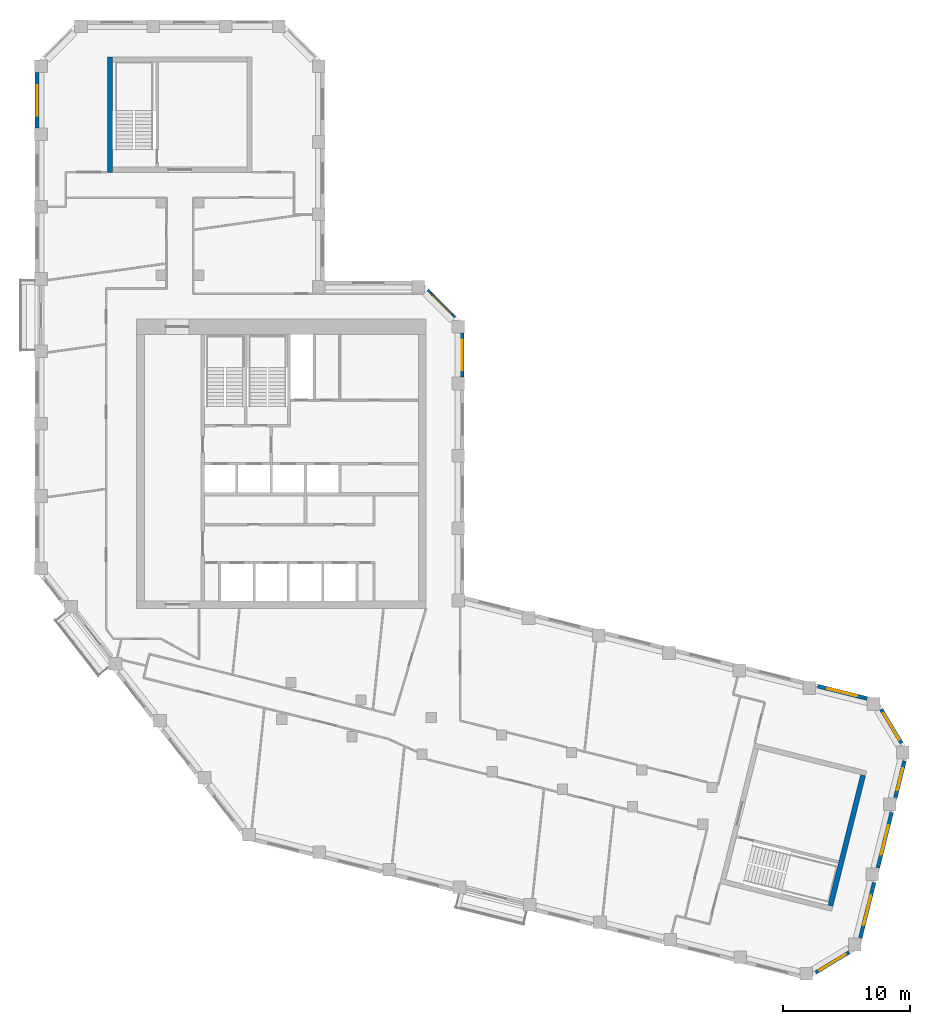
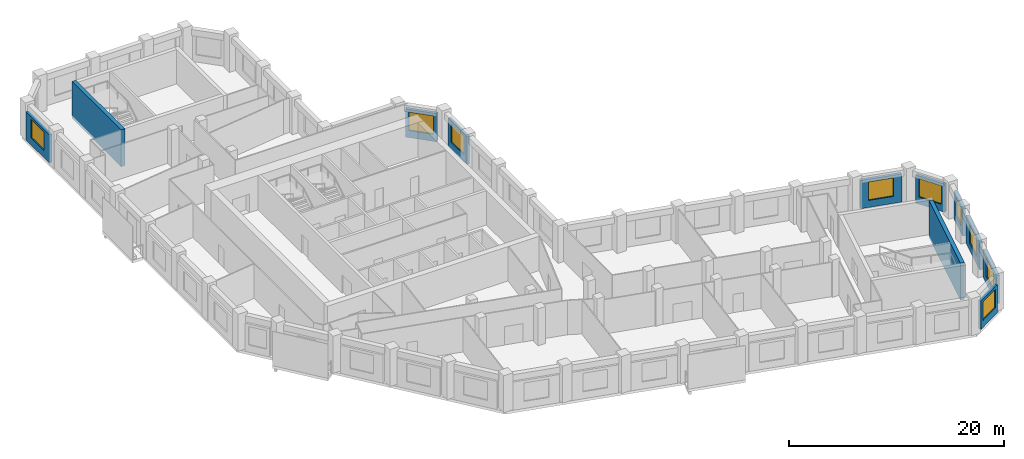
# One storey, part 7 of 9: 11 walls, 9 windows, 9 openings.
"""IFC4 building model written with IfcOpenShell, lengths in metres."""

from ifc_helpers import new_model, si_unit, direction, frame, frame_2d, origin, place, context, subcontext, project, spatial, rectangle, extrude, material, layer, layer_set, type_object, element, fill, save


model = new_model("IFC4")

# Units and contexts
model_context = context("Model", 3, precision=1e-05, world=origin(), true_north=direction((0.0, 1.0)))
body_context = subcontext(model_context, "Body", "Model", "MODEL_VIEW")
ifc_project = project(units=[si_unit("LENGTHUNIT", "METRE"), si_unit("AREAUNIT", "SQUARE_METRE"), si_unit("VOLUMEUNIT", "CUBIC_METRE"), si_unit("PLANEANGLEUNIT", "RADIAN"), si_unit("MASSUNIT", "GRAM", prefix="KILO")], contexts=[model_context])

# Site, building, storey
site_placement = place(None, origin())
site = spatial("IfcSite", under=ifc_project, at=site_placement, CompositionType="ELEMENT")
building_placement = place(site_placement, origin())
building = spatial("IfcBuilding", under=site, at=building_placement, Name="Meshkara Civic Tower", CompositionType="ELEMENT")
storey_placement = place(building_placement, frame((0.0, 0.0, 319.199951171875)))
storey = spatial("IfcBuildingStorey", under=building, at=storey_placement, Name="L73", CompositionType="ELEMENT", Elevation=319.199951171875)

# Wall, opening, window
ifc_material_1 = material(Name="Insulated infill panel with bronze anodised aluminium cladding", Category="aluminium")
ifc_layer_1 = layer(ifc_material_1, 0.300048828125)
ifc_layer_set_1 = layer_set([ifc_layer_1], Name="EXTERNAL INFILL WALL 300")
wall_type_1 = type_object("IfcWallType", Name="EXTERNAL INFILL WALL 300", PredefinedType="SOLIDWALL", material=ifc_layer_set_1)
wall_1_placement = place(storey_placement, frame((65.548095703125, 7.0, 0.0), z_axis=(0.0, 0.0, 1.0), x_axis=(-0.970260773365, 0.242062040951, 0.0)))
wall_1 = element("IfcWall", 1, at=wall_1_placement, inside=storey, type_object=wall_type_1, Name="External wall", PredefinedType="SOLIDWALL", context=body_context, shape_type="SweptSolid", body=[
    extrude(rectangle(XDim=4.003173828125, YDim=0.300048828125, at=frame_2d((2.00146484375, 0.0))), origin(), (0.0, 0.0, 1.0), 3.199951171875),
])
opening_1_placement = place(wall_1_placement, frame((0.801025390625, 0.0, 0.800048828125)))
opening_1 = element("IfcOpeningElement", 2, at=opening_1_placement, cuts=wall_1, Name="Opening W7", PredefinedType="OPENING", context=body_context, shape_type="SweptSolid", body=[
    extrude(rectangle(XDim=2.39990234375, YDim=2.10009765625, at=frame_2d((1.199951171875, 1.050048828125))), frame((0.0, 0.159912109375, 0.0), z_axis=(0.0, -1.0, 0.0), x_axis=(1.0, 0.0, 0.0)), (0.0, 0.0, 1.0), 0.320068359375),
])
ifc_material_2 = material(Name="Tinted double glazing", Category="glass")
window_type_1 = type_object("IfcWindowType", Name="WINDOW 2400x2100", PartitioningType="DOUBLE_PANEL_VERTICAL", PredefinedType="WINDOW", material=ifc_material_2)
window_1_placement = place(opening_1_placement, origin())
window_1 = element("IfcWindow", 3, at=window_1_placement, inside=storey, type_object=window_type_1, Name="Window", OverallHeight=2.10009765625, OverallWidth=2.39990234375, PartitioningType="DOUBLE_PANEL_VERTICAL", PredefinedType="WINDOW", context=body_context, shape_type="SweptSolid", body=[
    extrude(rectangle(XDim=2.39990234375, YDim=2.10009765625, at=frame_2d((1.199951171875, 1.050048828125))), frame((0.0, 0.030029296875, 0.0), z_axis=(0.0, -1.0, 0.0), x_axis=(1.0, 0.0, 0.0)), (0.0, 0.0, 1.0), 0.06005859375),
])
fill(opening_1, window_1)

wall_2_placement = place(storey_placement, frame((33.64990234375, 32.319091796875, 0.0), z_axis=(0.0, 0.0, 1.0), x_axis=(0.0, 1.0, 0.0)))
wall_2 = element("IfcWall", 4, at=wall_2_placement, inside=storey, type_object=wall_type_1, Name="External wall", PredefinedType="SOLIDWALL", context=body_context, shape_type="SweptSolid", body=[
    extrude(rectangle(XDim=3.474853515625, YDim=0.300048828125, at=frame_2d((1.7373046875, 0.0))), origin(), (0.0, 0.0, 1.0), 3.199951171875),
])
opening_2_placement = place(wall_2_placement, frame((0.5380859375, 0.0, 0.800048828125)))
opening_2 = element("IfcOpeningElement", 5, at=opening_2_placement, cuts=wall_2, Name="Opening W7", PredefinedType="OPENING", context=body_context, shape_type="SweptSolid", body=[
    extrude(rectangle(XDim=2.39990234375, YDim=2.10009765625, at=frame_2d((1.199951171875, 1.050048828125))), frame((0.0, 0.159912109375, 0.0), z_axis=(0.0, -1.0, 0.0), x_axis=(1.0, 0.0, 0.0)), (0.0, 0.0, 1.0), 0.320068359375),
])
window_2_placement = place(opening_2_placement, origin())
window_2 = element("IfcWindow", 6, at=window_2_placement, inside=storey, type_object=window_type_1, Name="Window", OverallHeight=2.10009765625, OverallWidth=2.39990234375, PartitioningType="DOUBLE_PANEL_VERTICAL", PredefinedType="WINDOW", context=body_context, shape_type="SweptSolid", body=[
    extrude(rectangle(XDim=2.39990234375, YDim=2.10009765625, at=frame_2d((1.199951171875, 1.050048828125))), frame((0.0, 0.030029296875, 0.0), z_axis=(0.0, -1.0, 0.0), x_axis=(1.0, 0.0, 0.0)), (0.0, 0.0, 1.0), 0.06005859375),
])
fill(opening_2, window_2)

wall_3_placement = place(storey_placement, frame((33.06201171875, 37.006103515625, 0.0), z_axis=(0.0, 0.0, 1.0), x_axis=(-0.707106781187, 0.707106781187, 0.0)))
wall_3 = element("IfcWall", 7, at=wall_3_placement, inside=storey, type_object=wall_type_1, Name="External wall", PredefinedType="SOLIDWALL", context=body_context, shape_type="SweptSolid", body=[
    extrude(rectangle(XDim=3.049072265625, YDim=0.300048828125, at=frame_2d((1.5244140625, 0.0))), origin(), (0.0, 0.0, 1.0), 3.199951171875),
])
opening_3_placement = place(wall_3_placement, frame((0.324951171875, 0.0, 0.800048828125)))
opening_3 = element("IfcOpeningElement", 8, at=opening_3_placement, cuts=wall_3, Name="Opening W7", PredefinedType="OPENING", context=body_context, shape_type="SweptSolid", body=[
    extrude(rectangle(XDim=2.39990234375, YDim=2.10009765625, at=frame_2d((1.199951171875, 1.050048828125))), frame((0.0, 0.159912109375, 0.0), z_axis=(0.0, -1.0, 0.0), x_axis=(1.0, 0.0, 0.0)), (0.0, 0.0, 1.0), 0.320068359375),
])
window_3_placement = place(opening_3_placement, origin())
window_3 = element("IfcWindow", 9, at=window_3_placement, inside=storey, type_object=window_type_1, Name="Window", OverallHeight=2.10009765625, OverallWidth=2.39990234375, PartitioningType="DOUBLE_PANEL_VERTICAL", PredefinedType="WINDOW", context=body_context, shape_type="SweptSolid", body=[
    extrude(rectangle(XDim=2.39990234375, YDim=2.10009765625, at=frame_2d((1.199951171875, 1.050048828125))), frame((0.0, 0.030029296875, 0.0), z_axis=(0.0, -1.0, 0.0), x_axis=(1.0, 0.0, 0.0)), (0.0, 0.0, 1.0), 0.06005859375),
])
fill(opening_3, window_3)

wall_4_placement = place(storey_placement, frame((0.14990234375, 56.31396484375, 0.0), z_axis=(0.0, 0.0, 1.0), x_axis=(0.0, -1.0, 0.0)))
wall_4 = element("IfcWall", 10, at=wall_4_placement, inside=storey, type_object=wall_type_1, Name="External wall", PredefinedType="SOLIDWALL", context=body_context, shape_type="SweptSolid", body=[
    extrude(rectangle(XDim=4.35888671875, YDim=0.300048828125, at=frame_2d((2.179443359375, 0.0))), origin(), (0.0, 0.0, 1.0), 3.199951171875),
])
opening_4_placement = place(wall_4_placement, frame((0.97998046875, 0.0, 0.800048828125)))
opening_4 = element("IfcOpeningElement", 11, at=opening_4_placement, cuts=wall_4, Name="Opening W7", PredefinedType="OPENING", context=body_context, shape_type="SweptSolid", body=[
    extrude(rectangle(XDim=2.39990234375, YDim=2.10009765625, at=frame_2d((1.199951171875, 1.050048828125))), frame((0.0, 0.159912109375, 0.0), z_axis=(0.0, -1.0, 0.0), x_axis=(1.0, 0.0, 0.0)), (0.0, 0.0, 1.0), 0.320068359375),
])
window_4_placement = place(opening_4_placement, origin())
window_4 = element("IfcWindow", 12, at=window_4_placement, inside=storey, type_object=window_type_1, Name="Window", OverallHeight=2.10009765625, OverallWidth=2.39990234375, PartitioningType="DOUBLE_PANEL_VERTICAL", PredefinedType="WINDOW", context=body_context, shape_type="SweptSolid", body=[
    extrude(rectangle(XDim=2.39990234375, YDim=2.10009765625, at=frame_2d((1.199951171875, 1.050048828125))), frame((0.0, 0.030029296875, 0.0), z_axis=(0.0, -1.0, 0.0), x_axis=(1.0, 0.0, 0.0)), (0.0, 0.0, 1.0), 0.06005859375),
])
fill(opening_4, window_4)

wall_5_placement = place(storey_placement, frame((61.509033203125, -14.591064453125, 0.0), z_axis=(0.0, 0.0, 1.0), x_axis=(0.856969799001, 0.515366630275, 0.0)))
wall_5 = element("IfcWall", 13, at=wall_5_placement, inside=storey, type_object=wall_type_1, Name="External wall", PredefinedType="SOLIDWALL", context=body_context, shape_type="SweptSolid", body=[
    extrude(rectangle(XDim=3.091064453125, YDim=0.300048828125, at=frame_2d((1.54541015625, 0.0))), origin(), (0.0, 0.0, 1.0), 3.199951171875),
])
opening_5_placement = place(wall_5_placement, frame((0.344970703125, 0.0, 0.800048828125)))
opening_5 = element("IfcOpeningElement", 14, at=opening_5_placement, cuts=wall_5, Name="Opening W7", PredefinedType="OPENING", context=body_context, shape_type="SweptSolid", body=[
    extrude(rectangle(XDim=2.39990234375, YDim=2.10009765625, at=frame_2d((1.199951171875, 1.050048828125))), frame((0.0, 0.159912109375, 0.0), z_axis=(0.0, -1.0, 0.0), x_axis=(1.0, 0.0, 0.0)), (0.0, 0.0, 1.0), 0.320068359375),
])
window_5_placement = place(opening_5_placement, origin())
window_5 = element("IfcWindow", 15, at=window_5_placement, inside=storey, type_object=window_type_1, Name="Window", OverallHeight=2.10009765625, OverallWidth=2.39990234375, PartitioningType="DOUBLE_PANEL_VERTICAL", PredefinedType="WINDOW", context=body_context, shape_type="SweptSolid", body=[
    extrude(rectangle(XDim=2.39990234375, YDim=2.10009765625, at=frame_2d((1.199951171875, 1.050048828125))), frame((0.0, 0.030029296875, 0.0), z_axis=(0.0, -1.0, 0.0), x_axis=(1.0, 0.0, 0.0)), (0.0, 0.0, 1.0), 0.06005859375),
])
fill(opening_5, window_5)

wall_6_placement = place(storey_placement, frame((65.029052734375, -11.8720703125, 0.0), z_axis=(0.0, 0.0, 1.0), x_axis=(0.241946839653, 0.970289506684, 0.0)))
wall_6 = element("IfcWall", 16, at=wall_6_placement, inside=storey, type_object=wall_type_1, Name="External wall", PredefinedType="SOLIDWALL", context=body_context, shape_type="SweptSolid", body=[
    extrude(rectangle(XDim=4.48828125, YDim=0.300048828125, at=frame_2d((2.244140625, 0.0))), origin(), (0.0, 0.0, 1.0), 3.199951171875),
])
opening_6_placement = place(wall_6_placement, frame((1.0439453125, 0.0, 0.800048828125)))
opening_6 = element("IfcOpeningElement", 17, at=opening_6_placement, cuts=wall_6, Name="Opening W7", PredefinedType="OPENING", context=body_context, shape_type="SweptSolid", body=[
    extrude(rectangle(XDim=2.39990234375, YDim=2.10009765625, at=frame_2d((1.199951171875, 1.050048828125))), frame((0.0, 0.159912109375, 0.0), z_axis=(0.0, -1.0, 0.0), x_axis=(1.0, 0.0, 0.0)), (0.0, 0.0, 1.0), 0.320068359375),
])
window_6_placement = place(opening_6_placement, origin())
window_6 = element("IfcWindow", 18, at=window_6_placement, inside=storey, type_object=window_type_1, Name="Window", OverallHeight=2.10009765625, OverallWidth=2.39990234375, PartitioningType="DOUBLE_PANEL_VERTICAL", PredefinedType="WINDOW", context=body_context, shape_type="SweptSolid", body=[
    extrude(rectangle(XDim=2.39990234375, YDim=2.10009765625, at=frame_2d((1.199951171875, 1.050048828125))), frame((0.0, 0.030029296875, 0.0), z_axis=(0.0, -1.0, 0.0), x_axis=(1.0, 0.0, 0.0)), (0.0, 0.0, 1.0), 0.06005859375),
])
fill(opening_6, window_6)

wall_7_placement = place(storey_placement, frame((66.407958984375, -6.341064453125, 0.0), z_axis=(0.0, 0.0, 1.0), x_axis=(0.241997928406, 0.970276766004, 0.0)))
wall_7 = element("IfcWall", 19, at=wall_7_placement, inside=storey, type_object=wall_type_1, Name="External wall", PredefinedType="SOLIDWALL", context=body_context, shape_type="SweptSolid", body=[
    extrude(rectangle(XDim=4.4873046875, YDim=0.300048828125, at=frame_2d((2.24365234375, 0.0))), origin(), (0.0, 0.0, 1.0), 3.199951171875),
])
opening_7_placement = place(wall_7_placement, frame((1.0439453125, 0.0, 0.800048828125)))
opening_7 = element("IfcOpeningElement", 20, at=opening_7_placement, cuts=wall_7, Name="Opening W7", PredefinedType="OPENING", context=body_context, shape_type="SweptSolid", body=[
    extrude(rectangle(XDim=2.39990234375, YDim=2.10009765625, at=frame_2d((1.199951171875, 1.050048828125))), frame((0.0, 0.159912109375, 0.0), z_axis=(0.0, -1.0, 0.0), x_axis=(1.0, 0.0, 0.0)), (0.0, 0.0, 1.0), 0.320068359375),
])
window_7_placement = place(opening_7_placement, origin())
window_7 = element("IfcWindow", 21, at=window_7_placement, inside=storey, type_object=window_type_1, Name="Window", OverallHeight=2.10009765625, OverallWidth=2.39990234375, PartitioningType="DOUBLE_PANEL_VERTICAL", PredefinedType="WINDOW", context=body_context, shape_type="SweptSolid", body=[
    extrude(rectangle(XDim=2.39990234375, YDim=2.10009765625, at=frame_2d((1.199951171875, 1.050048828125))), frame((0.0, 0.030029296875, 0.0), z_axis=(0.0, -1.0, 0.0), x_axis=(1.0, 0.0, 0.0)), (0.0, 0.0, 1.0), 0.06005859375),
])
fill(opening_7, window_7)

wall_8_placement = place(storey_placement, frame((67.787109375, -0.81103515625, 0.0), z_axis=(0.0, 0.0, 1.0), x_axis=(0.242052773757, 0.970263085311, 0.0)))
wall_8 = element("IfcWall", 22, at=wall_8_placement, inside=storey, type_object=wall_type_1, Name="External wall", PredefinedType="SOLIDWALL", context=body_context, shape_type="SweptSolid", body=[
    extrude(rectangle(XDim=2.974365234375, YDim=0.300048828125, at=frame_2d((1.4873046875, 0.0))), origin(), (0.0, 0.0, 1.0), 3.199951171875),
])
opening_8_placement = place(wall_8_placement, frame((0.5869140625, 0.0, 0.800048828125)))
opening_8 = element("IfcOpeningElement", 23, at=opening_8_placement, cuts=wall_8, Name="Opening W9", PredefinedType="OPENING", context=body_context, shape_type="SweptSolid", body=[
    extrude(rectangle(XDim=1.800048828125, YDim=2.10009765625, at=frame_2d((0.89990234375, 1.050048828125))), frame((0.0, 0.159912109375, 0.0), z_axis=(0.0, -1.0, 0.0), x_axis=(1.0, 0.0, 0.0)), (0.0, 0.0, 1.0), 0.320068359375),
])
ifc_material_3 = material(Name="Tinted double glazing", Category="glass")
window_type_2 = type_object("IfcWindowType", Name="WINDOW 1800x2100", PartitioningType="DOUBLE_PANEL_VERTICAL", PredefinedType="WINDOW", material=ifc_material_3)
window_8_placement = place(opening_8_placement, origin())
window_8 = element("IfcWindow", 24, at=window_8_placement, inside=storey, type_object=window_type_2, Name="Window", OverallHeight=2.10009765625, OverallWidth=1.800048828125, PartitioningType="DOUBLE_PANEL_VERTICAL", PredefinedType="WINDOW", context=body_context, shape_type="SweptSolid", body=[
    extrude(rectangle(XDim=1.800048828125, YDim=2.10009765625, at=frame_2d((0.89990234375, 1.050048828125))), frame((0.0, 0.030029296875, 0.0), z_axis=(0.0, -1.0, 0.0), x_axis=(1.0, 0.0, 0.0)), (0.0, 0.0, 1.0), 0.06005859375),
])
fill(opening_8, window_8)

wall_9_placement = place(storey_placement, frame((68.26611328125, 3.47900390625, 0.0), z_axis=(0.0, 0.0, 1.0), x_axis=(-0.514995068029, 0.857193140375, 0.0)))
wall_9 = element("IfcWall", 25, at=wall_9_placement, inside=storey, type_object=wall_type_1, Name="External wall", PredefinedType="SOLIDWALL", context=body_context, shape_type="SweptSolid", body=[
    extrude(rectangle(XDim=3.09130859375, YDim=0.300048828125, at=frame_2d((1.545654296875, 0.0))), origin(), (0.0, 0.0, 1.0), 3.199951171875),
])
opening_9_placement = place(wall_9_placement, frame((0.345947265625, 0.0, 0.800048828125)))
opening_9 = element("IfcOpeningElement", 26, at=opening_9_placement, cuts=wall_9, Name="Opening W7", PredefinedType="OPENING", context=body_context, shape_type="SweptSolid", body=[
    extrude(rectangle(XDim=2.39990234375, YDim=2.10009765625, at=frame_2d((1.199951171875, 1.050048828125))), frame((0.0, 0.159912109375, 0.0), z_axis=(0.0, -1.0, 0.0), x_axis=(1.0, 0.0, 0.0)), (0.0, 0.0, 1.0), 0.320068359375),
])
window_9_placement = place(opening_9_placement, origin())
window_9 = element("IfcWindow", 27, at=window_9_placement, inside=storey, type_object=window_type_1, Name="Window", OverallHeight=2.10009765625, OverallWidth=2.39990234375, PartitioningType="DOUBLE_PANEL_VERTICAL", PredefinedType="WINDOW", context=body_context, shape_type="SweptSolid", body=[
    extrude(rectangle(XDim=2.39990234375, YDim=2.10009765625, at=frame_2d((1.199951171875, 1.050048828125))), frame((0.0, 0.030029296875, 0.0), z_axis=(0.0, -1.0, 0.0), x_axis=(1.0, 0.0, 0.0)), (0.0, 0.0, 1.0), 0.06005859375),
])
fill(opening_9, window_9)

# Walls
ifc_material_4 = material(Name="Concrete C60", Category="concrete")
ifc_layer_2 = layer(ifc_material_4, 0.39990234375)
ifc_layer_set_2 = layer_set([ifc_layer_2], Name="End core ring wall 400 C60")
wall_type_2 = type_object("IfcWallType", Name="End core ring wall 400 C60", PredefinedType="SHEAR", material=ifc_layer_set_2)
wall_10_placement = place(storey_placement, frame((5.89990234375, 48.469970703125, -0.300048828125), z_axis=(0.0, 0.0, 1.0), x_axis=(0.0, 1.0, 0.0)))
element("IfcWall", 28, at=wall_10_placement, inside=storey, type_object=wall_type_2, Name="L73-C027", PredefinedType="SHEAR", context=body_context, shape_type="SweptSolid", body=[
    extrude(rectangle(XDim=9.10009765625, YDim=0.39990234375, at=frame_2d((4.550048828125, 0.0))), origin(), (0.0, 0.0, 1.0), 4.2001953125),
])
wall_11_placement = place(storey_placement, frame((62.672119140625, -9.339111328125, -0.300048828125), z_axis=(0.0, 0.0, 1.0), x_axis=(0.241971982666, 0.970283236795, 0.0)))
element("IfcWall", 29, at=wall_11_placement, inside=storey, type_object=wall_type_2, Name="L73-C035", PredefinedType="SHEAR", context=body_context, shape_type="SweptSolid", body=[
    extrude(rectangle(XDim=10.60009765625, YDim=0.39990234375, at=frame_2d((5.300048828125, 0.0))), origin(), (0.0, 0.0, 1.0), 4.2001953125),
])

save(model, "model.ifc")
